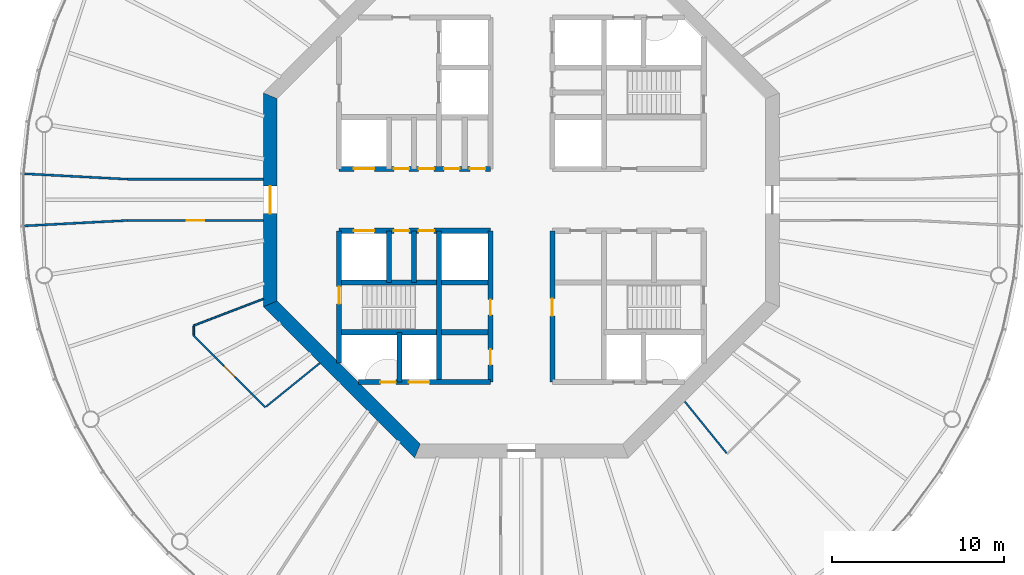
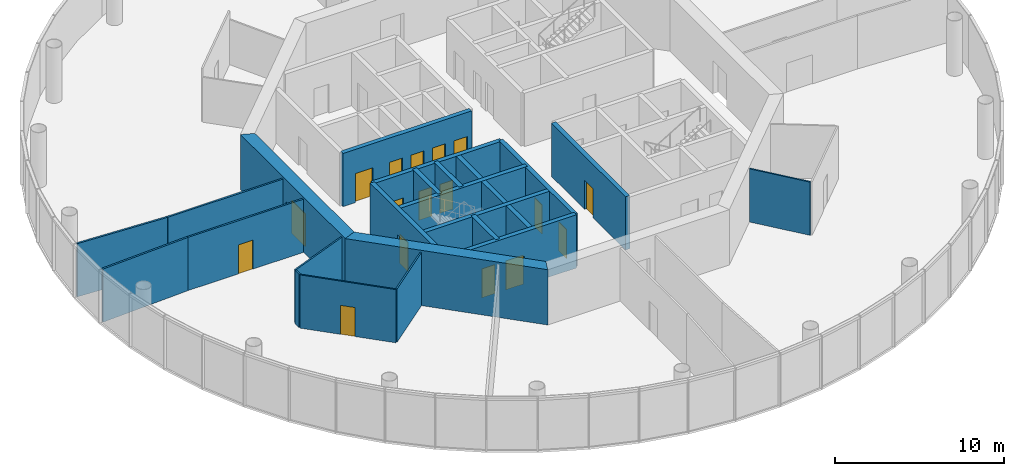
# One storey, part 3 of 13: 23 walls, 17 doors, 17 openings.
"""IFC4 building model written with IfcOpenShell, lengths in metres."""

from ifc_helpers import new_model, si_unit, direction, frame, frame_2d, origin, place, context, subcontext, project, spatial, polyline, rectangle, outline, extrude, material, layer, layer_set, type_object, element, fill, save


model = new_model("IFC4")

# Units and contexts
model_context = context("Model", 3, precision=1e-05, world=origin(), true_north=direction((0.0, 1.0)))
body_context = subcontext(model_context, "Body", "Model", "MODEL_VIEW")
ifc_project = project(units=[si_unit("LENGTHUNIT", "METRE"), si_unit("AREAUNIT", "SQUARE_METRE"), si_unit("VOLUMEUNIT", "CUBIC_METRE"), si_unit("PLANEANGLEUNIT", "RADIAN"), si_unit("MASSUNIT", "GRAM", prefix="KILO")], contexts=[model_context])

# Site, building, storey
site_placement = place(None, origin())
site = spatial("IfcSite", under=ifc_project, at=site_placement, CompositionType="ELEMENT")
building_placement = place(site_placement, origin())
building = spatial("IfcBuilding", under=site, at=building_placement, Name="Entoto Ring Tower", CompositionType="ELEMENT")
storey_placement = place(building_placement, frame((0.0, 0.0, 302.0)))
storey = spatial("IfcBuildingStorey", under=building, at=storey_placement, Name="L69", CompositionType="ELEMENT", Elevation=302.0)

# Wall, opening, door
ifc_material_1 = material(Name="Concrete C40/50", Category="concrete")
ifc_layer_1 = layer(ifc_material_1, 0.300048828125)
ifc_layer_set_1 = layer_set([ifc_layer_1], Name="Concrete C40/50")
wall_type_1 = type_object("IfcWallType", Name="Core enclosure wall 300 mm reinforced concrete", PredefinedType="SOLIDWALL", material=ifc_layer_set_1)
wall_1_placement = place(storey_placement, frame((91.800048828125, 69.39990234375, 0.0), z_axis=(0.0, 0.0, 1.0), x_axis=(0.0, 1.0, 0.0)))
wall_1 = element("IfcWall", 1, at=wall_1_placement, inside=storey, type_object=wall_type_1, Name="wall-L69-008", PredefinedType="SOLIDWALL", context=body_context, shape_type="SweptSolid", body=[
    extrude(rectangle(XDim=8.800048828125, YDim=0.300048828125, at=frame_2d((4.39990234375, 0.0))), origin(), (0.0, 0.0, 1.0), 3.85009765625),
])
opening_1_placement = place(wall_1_placement, frame((3.85009765625, 0.0, 0.0)))
opening_1 = element("IfcOpeningElement", 2, at=opening_1_placement, cuts=wall_1, Name="Opening K-64", PredefinedType="OPENING", context=body_context, shape_type="SweptSolid", body=[
    extrude(rectangle(XDim=1.0, YDim=2.10009765625, at=frame_2d((0.5, 1.050048828125))), frame((0.0, 0.16015625, 0.0), z_axis=(0.0, -1.0, 0.0), x_axis=(1.0, 0.0, 0.0)), (0.0, 0.0, 1.0), 0.320068359375),
])
ifc_material_2 = material(Name="Steel door leaf, fire rated", Category="steel")
ifc_layer_2 = layer(ifc_material_2, 0.050048828125)
ifc_layer_set_2 = layer_set([ifc_layer_2], Name="Steel door leaf, fire rated")
door_type_1 = type_object("IfcDoorType", Name="Accessible door 1000 x 2100 single leaf", OperationType="NOTDEFINED", PredefinedType="DOOR", material=ifc_layer_set_2)
door_1_placement = place(opening_1_placement, frame((1.0, 0.0, 0.0), z_axis=(0.0, 0.0, 1.0), x_axis=(-1.0, 0.0, 0.0)))
door_1 = element("IfcDoor", 3, at=door_1_placement, inside=storey, type_object=door_type_1, Name="Door K-64", OperationType="SINGLE_SWING_LEFT", OverallHeight=2.10009765625, OverallWidth=1.0, PredefinedType="DOOR", context=body_context, shape_type="SweptSolid", body=[
    extrude(rectangle(XDim=1.0, YDim=2.10009765625, at=frame_2d((0.5, 1.050048828125))), frame((0.0, 0.02490234375, 0.0), z_axis=(0.0, -1.0, 0.0), x_axis=(1.0, 0.0, 0.0)), (0.0, 0.0, 1.0), 0.050048828125),
])
fill(opening_1, door_1)

# Wall, openings, doors
wall_2_placement = place(storey_placement, frame((88.199951171875, 69.39990234375, 0.0), z_axis=(0.0, 0.0, 1.0), x_axis=(0.0, 1.0, 0.0)))
wall_2 = element("IfcWall", 4, at=wall_2_placement, inside=storey, type_object=wall_type_1, Name="wall-L69-010", PredefinedType="SOLIDWALL", context=body_context, shape_type="SweptSolid", body=[
    extrude(rectangle(XDim=8.800048828125, YDim=0.300048828125, at=frame_2d((4.39990234375, 0.0))), origin(), (0.0, 0.0, 1.0), 3.85009765625),
])
opening_2_placement = place(wall_2_placement, frame((3.89990234375, 0.0, 0.0)))
opening_2 = element("IfcOpeningElement", 5, at=opening_2_placement, cuts=wall_2, Name="Opening K-21", PredefinedType="OPENING", context=body_context, shape_type="SweptSolid", body=[
    extrude(rectangle(XDim=0.89990234375, YDim=2.10009765625, at=frame_2d((0.449951171875, 1.050048828125))), frame((0.0, 0.16015625, 0.0), z_axis=(0.0, -1.0, 0.0), x_axis=(1.0, 0.0, 0.0)), (0.0, 0.0, 1.0), 0.320068359375),
])
opening_3_placement = place(wall_2_placement, frame((1.0, 0.0, 0.0)))
opening_3 = element("IfcOpeningElement", 6, at=opening_3_placement, cuts=wall_2, Name="Opening K-69", PredefinedType="OPENING", context=body_context, shape_type="SweptSolid", body=[
    extrude(rectangle(XDim=0.89990234375, YDim=2.10009765625, at=frame_2d((0.449951171875, 1.050048828125))), frame((0.0, 0.16015625, 0.0), z_axis=(0.0, -1.0, 0.0), x_axis=(1.0, 0.0, 0.0)), (0.0, 0.0, 1.0), 0.320068359375),
])
ifc_material_3 = material(Name="Steel door leaf, fire rated", Category="steel")
ifc_layer_3 = layer(ifc_material_3, 0.050048828125)
ifc_layer_set_3 = layer_set([ifc_layer_3], Name="Steel door leaf, fire rated")
door_type_2 = type_object("IfcDoorType", Name="Core door 900 x 2100 single leaf", OperationType="NOTDEFINED", PredefinedType="DOOR", material=ifc_layer_set_3)
door_2_placement = place(opening_2_placement, origin())
door_2 = element("IfcDoor", 7, at=door_2_placement, inside=storey, type_object=door_type_2, Name="Door K-21", OperationType="SINGLE_SWING_RIGHT", OverallHeight=2.10009765625, OverallWidth=0.89990234375, PredefinedType="DOOR", context=body_context, shape_type="SweptSolid", body=[
    extrude(rectangle(XDim=0.89990234375, YDim=2.10009765625, at=frame_2d((0.449951171875, 1.050048828125))), frame((0.0, 0.02490234375, 0.0), z_axis=(0.0, -1.0, 0.0), x_axis=(1.0, 0.0, 0.0)), (0.0, 0.0, 1.0), 0.050048828125),
])
fill(opening_2, door_2)
door_3_placement = place(opening_3_placement, origin())
door_3 = element("IfcDoor", 8, at=door_3_placement, inside=storey, type_object=door_type_2, Name="Door K-69", OperationType="SINGLE_SWING_RIGHT", OverallHeight=2.10009765625, OverallWidth=0.89990234375, PredefinedType="DOOR", context=body_context, shape_type="SweptSolid", body=[
    extrude(rectangle(XDim=0.89990234375, YDim=2.10009765625, at=frame_2d((0.449951171875, 1.050048828125))), frame((0.0, 0.02490234375, 0.0), z_axis=(0.0, -1.0, 0.0), x_axis=(1.0, 0.0, 0.0)), (0.0, 0.0, 1.0), 0.050048828125),
])
fill(opening_3, door_3)

# Walls
wall_3_placement = place(storey_placement, frame((85.199951171875, 69.39990234375, 0.0), z_axis=(0.0, 0.0, 1.0), x_axis=(0.0, 1.0, 0.0)))
element("IfcWall", 9, at=wall_3_placement, inside=storey, type_object=wall_type_1, Name="wall-L69-013", PredefinedType="SOLIDWALL", context=body_context, shape_type="SweptSolid", body=[
    extrude(rectangle(XDim=8.800048828125, YDim=0.300048828125, at=frame_2d((4.39990234375, 0.0))), origin(), (0.0, 0.0, 1.0), 3.85009765625),
])
wall_4_placement = place(storey_placement, frame((83.75, 75.199951171875, 0.0), z_axis=(0.0, 0.0, 1.0), x_axis=(0.0, 1.0, 0.0)))
element("IfcWall", 10, at=wall_4_placement, inside=storey, type_object=wall_type_1, Name="wall-L69-015", PredefinedType="SOLIDWALL", context=body_context, shape_type="SweptSolid", body=[
    extrude(rectangle(XDim=3.0, YDim=0.300048828125, at=frame_2d((1.5, 0.0))), origin(), (0.0, 0.0, 1.0), 3.85009765625),
])
wall_5_placement = place(storey_placement, frame((82.89990234375, 69.39990234375, 0.0), z_axis=(0.0, 0.0, 1.0), x_axis=(0.0, 1.0, 0.0)))
element("IfcWall", 11, at=wall_5_placement, inside=storey, type_object=wall_type_1, Name="wall-L69-017", PredefinedType="SOLIDWALL", context=body_context, shape_type="SweptSolid", body=[
    extrude(rectangle(XDim=2.900146484375, YDim=0.300048828125, at=frame_2d((1.4501953125, 0.0))), origin(), (0.0, 0.0, 1.0), 3.85009765625),
])
wall_6_placement = place(storey_placement, frame((82.300048828125, 75.199951171875, 0.0), z_axis=(0.0, 0.0, 1.0), x_axis=(0.0, 1.0, 0.0)))
element("IfcWall", 12, at=wall_6_placement, inside=storey, type_object=wall_type_1, Name="wall-L69-018", PredefinedType="SOLIDWALL", context=body_context, shape_type="SweptSolid", body=[
    extrude(rectangle(XDim=3.0, YDim=0.300048828125, at=frame_2d((1.5, 0.0))), origin(), (0.0, 0.0, 1.0), 3.85009765625),
])

# Wall, opening, door
wall_7_placement = place(storey_placement, frame((79.39990234375, 70.518310546875, 0.0), z_axis=(0.0, 0.0, 1.0), x_axis=(0.0, 1.0, 0.0)))
wall_7 = element("IfcWall", 13, at=wall_7_placement, inside=storey, type_object=wall_type_1, Name="wall-L69-020", PredefinedType="SOLIDWALL", context=body_context, shape_type="SweptSolid", body=[
    extrude(rectangle(XDim=7.681640625, YDim=0.300048828125, at=frame_2d((3.8408203125, 0.0))), origin(), (0.0, 0.0, 1.0), 3.85009765625),
])
opening_4_placement = place(wall_7_placement, frame((3.431884765625, 0.0, 0.0)))
opening_4 = element("IfcOpeningElement", 14, at=opening_4_placement, cuts=wall_7, Name="Opening K-27", PredefinedType="OPENING", context=body_context, shape_type="SweptSolid", body=[
    extrude(rectangle(XDim=1.0, YDim=2.10009765625, at=frame_2d((0.5, 1.050048828125))), frame((0.0, 0.16015625, 0.0), z_axis=(0.0, -1.0, 0.0), x_axis=(1.0, 0.0, 0.0)), (0.0, 0.0, 1.0), 0.320068359375),
])
ifc_material_4 = material(Name="Steel door leaf, fire rated", Category="steel")
ifc_layer_4 = layer(ifc_material_4, 0.050048828125)
ifc_layer_set_4 = layer_set([ifc_layer_4], Name="Steel door leaf, fire rated")
door_type_3 = type_object("IfcDoorType", Name="Fire door FD60 1000 x 2100 single leaf", OperationType="NOTDEFINED", PredefinedType="DOOR", material=ifc_layer_set_4)
door_4_placement = place(opening_4_placement, frame((1.0, 0.0, 0.0), z_axis=(0.0, 0.0, 1.0), x_axis=(-1.0, 0.0, 0.0)))
door_4 = element("IfcDoor", 15, at=door_4_placement, inside=storey, type_object=door_type_3, Name="Door K-27", OperationType="SINGLE_SWING_LEFT", OverallHeight=2.10009765625, OverallWidth=1.0, PredefinedType="DOOR", context=body_context, shape_type="SweptSolid", body=[
    extrude(rectangle(XDim=1.0, YDim=2.10009765625, at=frame_2d((0.5, 1.050048828125))), frame((0.0, 0.02490234375, 0.0), z_axis=(0.0, -1.0, 0.0), x_axis=(1.0, 0.0, 0.0)), (0.0, 0.0, 1.0), 0.050048828125),
])
fill(opening_4, door_4)

# Wall, openings, doors
wall_8_placement = place(storey_placement, frame((80.518310546875, 69.39990234375, 0.0), z_axis=(0.0, 0.0, 1.0), x_axis=(1.0, 0.0, 0.0)))
wall_8 = element("IfcWall", 16, at=wall_8_placement, inside=storey, type_object=wall_type_1, Name="wall-L69-022", PredefinedType="SOLIDWALL", context=body_context, shape_type="SweptSolid", body=[
    extrude(rectangle(XDim=7.681640625, YDim=0.300048828125, at=frame_2d((3.8408203125, 0.0))), origin(), (0.0, 0.0, 1.0), 3.85009765625),
])
opening_5_placement = place(wall_8_placement, frame((2.931884765625, 0.0, 0.0)))
opening_5 = element("IfcOpeningElement", 17, at=opening_5_placement, cuts=wall_8, Name="Opening LD", PredefinedType="OPENING", context=body_context, shape_type="SweptSolid", body=[
    extrude(rectangle(XDim=1.199951171875, YDim=2.10009765625, at=frame_2d((0.60009765625, 1.050048828125))), frame((0.0, 0.16015625, 0.0), z_axis=(0.0, -1.0, 0.0), x_axis=(1.0, 0.0, 0.0)), (0.0, 0.0, 1.0), 0.320068359375),
])
opening_6_placement = place(wall_8_placement, frame((1.28173828125, 0.0, 0.0)))
opening_6 = element("IfcOpeningElement", 18, at=opening_6_placement, cuts=wall_8, Name="Opening K-84", PredefinedType="OPENING", context=body_context, shape_type="SweptSolid", body=[
    extrude(rectangle(XDim=0.89990234375, YDim=2.10009765625, at=frame_2d((0.449951171875, 1.050048828125))), frame((0.0, 0.16015625, 0.0), z_axis=(0.0, -1.0, 0.0), x_axis=(1.0, 0.0, 0.0)), (0.0, 0.0, 1.0), 0.320068359375),
])
ifc_material_5 = material(Name="Steel and glass door leaf", Category="steel")
ifc_layer_5 = layer(ifc_material_5, 0.050048828125)
ifc_layer_set_5 = layer_set([ifc_layer_5], Name="Steel and glass door leaf")
door_type_4 = type_object("IfcDoorType", Name="Landing door 1200 x 2100 sliding", OperationType="DOUBLE_DOOR_SLIDING", PredefinedType="DOOR", material=ifc_layer_set_5)
door_5_placement = place(opening_5_placement, origin())
door_5 = element("IfcDoor", 19, at=door_5_placement, inside=storey, type_object=door_type_4, Name="Landing door LB3-HR", OperationType="SLIDING_TO_RIGHT", OverallHeight=2.10009765625, OverallWidth=1.199951171875, PredefinedType="DOOR", context=body_context, shape_type="SweptSolid", body=[
    extrude(rectangle(XDim=1.199951171875, YDim=2.10009765625, at=frame_2d((0.60009765625, 1.050048828125))), frame((0.0, 0.02490234375, 0.0), z_axis=(0.0, -1.0, 0.0), x_axis=(1.0, 0.0, 0.0)), (0.0, 0.0, 1.0), 0.050048828125),
])
fill(opening_5, door_5)
ifc_material_6 = material(Name="Steel door leaf, fire rated", Category="steel")
ifc_layer_6 = layer(ifc_material_6, 0.050048828125)
ifc_layer_set_6 = layer_set([ifc_layer_6], Name="Steel door leaf, fire rated")
door_type_5 = type_object("IfcDoorType", Name="Riser door FD60 900 x 2100 single leaf", OperationType="NOTDEFINED", PredefinedType="DOOR", material=ifc_layer_set_6)
door_6_placement = place(opening_6_placement, origin())
door_6 = element("IfcDoor", 20, at=door_6_placement, inside=storey, type_object=door_type_5, Name="Door K-84", OperationType="SINGLE_SWING_RIGHT", OverallHeight=2.10009765625, OverallWidth=0.89990234375, PredefinedType="DOOR", context=body_context, shape_type="SweptSolid", body=[
    extrude(rectangle(XDim=0.89990234375, YDim=2.10009765625, at=frame_2d((0.449951171875, 1.050048828125))), frame((0.0, 0.02490234375, 0.0), z_axis=(0.0, -1.0, 0.0), x_axis=(1.0, 0.0, 0.0)), (0.0, 0.0, 1.0), 0.050048828125),
])
fill(opening_6, door_6)

# Walls
for number, where, z_axis, x_axis, name in (
    (21, (79.39990234375, 72.300048828125, 0.0), (0.0, 0.0, 1.0), (1.0, 0.0, 0.0), "wall-L69-024"),
    (22, (79.39990234375, 75.199951171875, 0.0), (0.0, 0.0, 1.0), (1.0, 0.0, 0.0), "wall-L69-026"),
):
    element("IfcWall", number, at=place(storey_placement, frame(where, z_axis=z_axis, x_axis=x_axis)), inside=storey, type_object=wall_type_1, Name=name, PredefinedType="SOLIDWALL", context=body_context, shape_type="SweptSolid", body=[
        extrude(rectangle(XDim=8.800048828125, YDim=0.300048828125, at=frame_2d((4.39990234375, 0.0))), origin(), (0.0, 0.0, 1.0), 3.85009765625),
    ])

# Wall, openings, doors
wall_9_placement = place(storey_placement, frame((79.39990234375, 78.199951171875, 0.0), z_axis=(0.0, 0.0, 1.0), x_axis=(1.0, 0.0, 0.0)))
wall_9 = element("IfcWall", 23, at=wall_9_placement, inside=storey, type_object=wall_type_1, Name="wall-L69-028", PredefinedType="SOLIDWALL", context=body_context, shape_type="SweptSolid", body=[
    extrude(rectangle(XDim=8.800048828125, YDim=0.300048828125, at=frame_2d((4.39990234375, 0.0))), origin(), (0.0, 0.0, 1.0), 3.85009765625),
])
opening_7_placement = place(wall_9_placement, frame((0.85009765625, 0.0, 0.0)))
opening_7 = element("IfcOpeningElement", 24, at=opening_7_placement, cuts=wall_9, Name="Opening LD", PredefinedType="OPENING", context=body_context, shape_type="SweptSolid", body=[
    extrude(rectangle(XDim=1.199951171875, YDim=2.10009765625, at=frame_2d((0.60009765625, 1.050048828125))), frame((0.0, 0.16015625, 0.0), z_axis=(0.0, -1.0, 0.0), x_axis=(1.0, 0.0, 0.0)), (0.0, 0.0, 1.0), 0.320068359375),
])
opening_8_placement = place(wall_9_placement, frame((3.175048828125, 0.0, 0.0)))
opening_8 = element("IfcOpeningElement", 25, at=opening_8_placement, cuts=wall_9, Name="Opening K-16", PredefinedType="OPENING", context=body_context, shape_type="SweptSolid", body=[
    extrude(rectangle(XDim=0.89990234375, YDim=2.10009765625, at=frame_2d((0.449951171875, 1.050048828125))), frame((0.0, 0.16015625, 0.0), z_axis=(0.0, -1.0, 0.0), x_axis=(1.0, 0.0, 0.0)), (0.0, 0.0, 1.0), 0.320068359375),
])
opening_9_placement = place(wall_9_placement, frame((4.625, 0.0, 0.0)))
opening_9 = element("IfcOpeningElement", 26, at=opening_9_placement, cuts=wall_9, Name="Opening K-57", PredefinedType="OPENING", context=body_context, shape_type="SweptSolid", body=[
    extrude(rectangle(XDim=0.89990234375, YDim=2.10009765625, at=frame_2d((0.449951171875, 1.050048828125))), frame((0.0, 0.16015625, 0.0), z_axis=(0.0, -1.0, 0.0), x_axis=(1.0, 0.0, 0.0)), (0.0, 0.0, 1.0), 0.320068359375),
])
door_7_placement = place(opening_8_placement, frame((0.89990234375, 0.0, 0.0), z_axis=(0.0, 0.0, 1.0), x_axis=(-1.0, 0.0, 0.0)))
door_7 = element("IfcDoor", 27, at=door_7_placement, inside=storey, type_object=door_type_2, Name="Door K-16", OperationType="SINGLE_SWING_LEFT", OverallHeight=2.10009765625, OverallWidth=0.89990234375, PredefinedType="DOOR", context=body_context, shape_type="SweptSolid", body=[
    extrude(rectangle(XDim=0.89990234375, YDim=2.10009765625, at=frame_2d((0.449951171875, 1.050048828125))), frame((0.0, 0.02490234375, 0.0), z_axis=(0.0, -1.0, 0.0), x_axis=(1.0, 0.0, 0.0)), (0.0, 0.0, 1.0), 0.050048828125),
])
fill(opening_8, door_7)
door_8_placement = place(opening_9_placement, frame((0.89990234375, 0.0, 0.0), z_axis=(0.0, 0.0, 1.0), x_axis=(-1.0, 0.0, 0.0)))
door_8 = element("IfcDoor", 28, at=door_8_placement, inside=storey, type_object=door_type_2, Name="Door K-57", OperationType="SINGLE_SWING_LEFT", OverallHeight=2.10009765625, OverallWidth=0.89990234375, PredefinedType="DOOR", context=body_context, shape_type="SweptSolid", body=[
    extrude(rectangle(XDim=0.89990234375, YDim=2.10009765625, at=frame_2d((0.449951171875, 1.050048828125))), frame((0.0, 0.02490234375, 0.0), z_axis=(0.0, -1.0, 0.0), x_axis=(1.0, 0.0, 0.0)), (0.0, 0.0, 1.0), 0.050048828125),
])
fill(opening_9, door_8)
door_9_placement = place(opening_7_placement, origin())
door_9 = element("IfcDoor", 29, at=door_9_placement, inside=storey, type_object=door_type_4, Name="Landing door SH2", OperationType="SLIDING_TO_RIGHT", OverallHeight=2.10009765625, OverallWidth=1.199951171875, PredefinedType="DOOR", context=body_context, shape_type="SweptSolid", body=[
    extrude(rectangle(XDim=1.199951171875, YDim=2.10009765625, at=frame_2d((0.60009765625, 1.050048828125))), frame((0.0, 0.02490234375, 0.0), z_axis=(0.0, -1.0, 0.0), x_axis=(1.0, 0.0, 0.0)), (0.0, 0.0, 1.0), 0.050048828125),
])
fill(opening_7, door_9)

wall_10_placement = place(storey_placement, frame((79.39990234375, 81.800048828125, 0.0), z_axis=(0.0, 0.0, 1.0), x_axis=(1.0, 0.0, 0.0)))
wall_10 = element("IfcWall", 30, at=wall_10_placement, inside=storey, type_object=wall_type_1, Name="wall-L69-030", PredefinedType="SOLIDWALL", context=body_context, shape_type="SweptSolid", body=[
    extrude(rectangle(XDim=8.800048828125, YDim=0.300048828125, at=frame_2d((4.39990234375, 0.0))), origin(), (0.0, 0.0, 1.0), 3.85009765625),
])
opening_10_placement = place(wall_10_placement, frame((0.85009765625, 0.0, 0.0)))
opening_10 = element("IfcOpeningElement", 31, at=opening_10_placement, cuts=wall_10, Name="Opening LD", PredefinedType="OPENING", context=body_context, shape_type="SweptSolid", body=[
    extrude(rectangle(XDim=1.199951171875, YDim=2.10009765625, at=frame_2d((0.60009765625, 1.050048828125))), frame((0.0, 0.16015625, 0.0), z_axis=(0.0, -1.0, 0.0), x_axis=(1.0, 0.0, 0.0)), (0.0, 0.0, 1.0), 0.320068359375),
])
opening_11_placement = place(wall_10_placement, frame((3.175048828125, 0.0, 0.0)))
opening_11 = element("IfcOpeningElement", 32, at=opening_11_placement, cuts=wall_10, Name="Opening K-12", PredefinedType="OPENING", context=body_context, shape_type="SweptSolid", body=[
    extrude(rectangle(XDim=0.89990234375, YDim=2.10009765625, at=frame_2d((0.449951171875, 1.050048828125))), frame((0.0, 0.16015625, 0.0), z_axis=(0.0, -1.0, 0.0), x_axis=(1.0, 0.0, 0.0)), (0.0, 0.0, 1.0), 0.320068359375),
])
opening_12_placement = place(wall_10_placement, frame((4.625, 0.0, 0.0)))
opening_12 = element("IfcOpeningElement", 33, at=opening_12_placement, cuts=wall_10, Name="Opening K-46", PredefinedType="OPENING", context=body_context, shape_type="SweptSolid", body=[
    extrude(rectangle(XDim=0.89990234375, YDim=2.10009765625, at=frame_2d((0.449951171875, 1.050048828125))), frame((0.0, 0.16015625, 0.0), z_axis=(0.0, -1.0, 0.0), x_axis=(1.0, 0.0, 0.0)), (0.0, 0.0, 1.0), 0.320068359375),
])
opening_13_placement = place(wall_10_placement, frame((6.10009765625, 0.0, 0.0)))
opening_13 = element("IfcOpeningElement", 34, at=opening_13_placement, cuts=wall_10, Name="Opening K-71", PredefinedType="OPENING", context=body_context, shape_type="SweptSolid", body=[
    extrude(rectangle(XDim=0.89990234375, YDim=2.10009765625, at=frame_2d((0.449951171875, 1.050048828125))), frame((0.0, 0.16015625, 0.0), z_axis=(0.0, -1.0, 0.0), x_axis=(1.0, 0.0, 0.0)), (0.0, 0.0, 1.0), 0.320068359375),
])
opening_14_placement = place(wall_10_placement, frame((7.60009765625, 0.0, 0.0)))
opening_14 = element("IfcOpeningElement", 35, at=opening_14_placement, cuts=wall_10, Name="Opening K-24", PredefinedType="OPENING", context=body_context, shape_type="SweptSolid", body=[
    extrude(rectangle(XDim=0.89990234375, YDim=2.10009765625, at=frame_2d((0.449951171875, 1.050048828125))), frame((0.0, 0.16015625, 0.0), z_axis=(0.0, -1.0, 0.0), x_axis=(1.0, 0.0, 0.0)), (0.0, 0.0, 1.0), 0.320068359375),
])
door_10_placement = place(opening_11_placement, origin())
door_10 = element("IfcDoor", 36, at=door_10_placement, inside=storey, type_object=door_type_2, Name="Door K-12", OperationType="SINGLE_SWING_RIGHT", OverallHeight=2.10009765625, OverallWidth=0.89990234375, PredefinedType="DOOR", context=body_context, shape_type="SweptSolid", body=[
    extrude(rectangle(XDim=0.89990234375, YDim=2.10009765625, at=frame_2d((0.449951171875, 1.050048828125))), frame((0.0, 0.02490234375, 0.0), z_axis=(0.0, -1.0, 0.0), x_axis=(1.0, 0.0, 0.0)), (0.0, 0.0, 1.0), 0.050048828125),
])
fill(opening_11, door_10)
door_11_placement = place(opening_12_placement, origin())
door_11 = element("IfcDoor", 37, at=door_11_placement, inside=storey, type_object=door_type_2, Name="Door K-46", OperationType="SINGLE_SWING_RIGHT", OverallHeight=2.10009765625, OverallWidth=0.89990234375, PredefinedType="DOOR", context=body_context, shape_type="SweptSolid", body=[
    extrude(rectangle(XDim=0.89990234375, YDim=2.10009765625, at=frame_2d((0.449951171875, 1.050048828125))), frame((0.0, 0.02490234375, 0.0), z_axis=(0.0, -1.0, 0.0), x_axis=(1.0, 0.0, 0.0)), (0.0, 0.0, 1.0), 0.050048828125),
])
fill(opening_12, door_11)
door_12_placement = place(opening_13_placement, origin())
door_12 = element("IfcDoor", 38, at=door_12_placement, inside=storey, type_object=door_type_2, Name="Door K-71", OperationType="SINGLE_SWING_LEFT", OverallHeight=2.10009765625, OverallWidth=0.89990234375, PredefinedType="DOOR", context=body_context, shape_type="SweptSolid", body=[
    extrude(rectangle(XDim=0.89990234375, YDim=2.10009765625, at=frame_2d((0.449951171875, 1.050048828125))), frame((0.0, 0.02490234375, 0.0), z_axis=(0.0, -1.0, 0.0), x_axis=(1.0, 0.0, 0.0)), (0.0, 0.0, 1.0), 0.050048828125),
])
fill(opening_13, door_12)
door_13_placement = place(opening_14_placement, origin())
door_13 = element("IfcDoor", 39, at=door_13_placement, inside=storey, type_object=door_type_2, Name="Door K-24", OperationType="SINGLE_SWING_LEFT", OverallHeight=2.10009765625, OverallWidth=0.89990234375, PredefinedType="DOOR", context=body_context, shape_type="SweptSolid", body=[
    extrude(rectangle(XDim=0.89990234375, YDim=2.10009765625, at=frame_2d((0.449951171875, 1.050048828125))), frame((0.0, 0.02490234375, 0.0), z_axis=(0.0, -1.0, 0.0), x_axis=(1.0, 0.0, 0.0)), (0.0, 0.0, 1.0), 0.050048828125),
])
fill(opening_14, door_13)
door_14_placement = place(opening_10_placement, origin())
door_14 = element("IfcDoor", 40, at=door_14_placement, inside=storey, type_object=door_type_4, Name="Landing door SH1", OperationType="SLIDING_TO_RIGHT", OverallHeight=2.10009765625, OverallWidth=1.199951171875, PredefinedType="DOOR", context=body_context, shape_type="SweptSolid", body=[
    extrude(rectangle(XDim=1.199951171875, YDim=2.10009765625, at=frame_2d((0.60009765625, 1.050048828125))), frame((0.0, 0.02490234375, 0.0), z_axis=(0.0, -1.0, 0.0), x_axis=(1.0, 0.0, 0.0)), (0.0, 0.0, 1.0), 0.050048828125),
])
fill(opening_10, door_14)

# Wall, opening, door
ifc_material_7 = material(Name="Concrete C40/50", Category="concrete")
ifc_layer_7 = layer(ifc_material_7, 0.800048828125)
ifc_layer_set_7 = layer_set([ifc_layer_7], Name="Concrete C40/50")
wall_type_2 = type_object("IfcWallType", Name="Core shear wall 800 mm reinforced concrete C40/50", PredefinedType="SHEAR", material=ifc_layer_set_7)
wall_11_placement = place(storey_placement, frame((75.39990234375, 86.047607421875, 0.0), z_axis=(0.0, 0.0, 1.0), x_axis=(0.0, -1.0, 0.0)))
wall_11 = element("IfcWall", 41, at=wall_11_placement, inside=storey, type_object=wall_type_2, Name="wall-L69-core-4", PredefinedType="SHEAR", context=body_context, shape_type="SweptSolid", body=[
    extrude(outline(polyline([(-0.165771484375, -0.39990234375), (12.260986328125, -0.39990234375), (11.929443359375, 0.39990234375), (0.165771484375, 0.39990234375), (-0.165771484375, -0.39990234375)])), origin(), (0.0, 0.0, 1.0), 4.0),
])
opening_15_placement = place(wall_11_placement, frame((5.24755859375, 0.0, 0.0)))
opening_15 = element("IfcOpeningElement", 42, at=opening_15_placement, cuts=wall_11, Name="Opening K-03", PredefinedType="OPENING", context=body_context, shape_type="SweptSolid", body=[
    extrude(rectangle(XDim=1.60009765625, YDim=2.39990234375, at=frame_2d((0.800048828125, 1.199951171875))), frame((0.0, 0.41015625, 0.0), z_axis=(0.0, -1.0, 0.0), x_axis=(1.0, 0.0, 0.0)), (0.0, 0.0, 1.0), 0.820068359375),
])
ifc_material_8 = material(Name="Steel door leaf, fire rated", Category="steel")
ifc_layer_8 = layer(ifc_material_8, 0.050048828125)
ifc_layer_set_8 = layer_set([ifc_layer_8], Name="Steel door leaf, fire rated")
door_type_6 = type_object("IfcDoorType", Name="Entrance door FD60 1600 x 2400 double leaf", OperationType="DOUBLE_DOOR_SINGLE_SWING", PredefinedType="DOOR", material=ifc_layer_set_8)
door_15_placement = place(opening_15_placement, origin())
door_15 = element("IfcDoor", 43, at=door_15_placement, inside=storey, type_object=door_type_6, Name="Entrance door K-03", OperationType="DOUBLE_DOOR_SINGLE_SWING", OverallHeight=2.39990234375, OverallWidth=1.60009765625, PredefinedType="DOOR", context=body_context, shape_type="SweptSolid", body=[
    extrude(rectangle(XDim=1.60009765625, YDim=2.39990234375, at=frame_2d((0.800048828125, 1.199951171875))), frame((0.0, 0.02490234375, 0.0), z_axis=(0.0, -1.0, 0.0), x_axis=(1.0, 0.0, 0.0)), (0.0, 0.0, 1.0), 0.050048828125),
])
fill(opening_15, door_15)

# Wall
wall_12_placement = place(storey_placement, frame((75.39990234375, 73.952392578125, 0.0), z_axis=(0.0, 0.0, 1.0), x_axis=(0.707106781187, -0.707106781187, 0.0)))
element("IfcWall", 44, at=wall_12_placement, inside=storey, type_object=wall_type_2, Name="wall-L69-core-5", PredefinedType="SHEAR", context=body_context, shape_type="SweptSolid", body=[
    extrude(outline(polyline([(-0.165771484375, -0.39990234375), (12.2607421875, -0.39990234375), (11.92919921875, 0.39990234375), (0.165771484375, 0.39990234375), (-0.165771484375, -0.39990234375)])), origin(), (0.0, 0.0, 1.0), 4.0),
])

# Wall, opening, door
ifc_material_9 = material(Name="Fire-resisting plasterboard on steel studs", Category="steel")
ifc_layer_9 = layer(ifc_material_9, 0.125)
ifc_layer_set_9 = layer_set([ifc_layer_9], Name="Fire-resisting plasterboard on steel studs")
wall_type_3 = type_object("IfcWallType", Name="Corridor wall 125 mm one-hour plasterboard on steel studs", PredefinedType="PARTITIONING", material=ifc_layer_set_9)
wall_13_placement = place(storey_placement, frame((67.1025390625, 78.800048828125, 0.0), z_axis=(0.0, 0.0, 1.0), x_axis=(1.0, 0.0, 0.0)))
wall_13 = element("IfcWall", 45, at=wall_13_placement, inside=storey, type_object=wall_type_3, Name="partition-L69-001", PredefinedType="PARTITIONING", context=body_context, shape_type="SweptSolid", body=[
    extrude(rectangle(XDim=7.8974609375, YDim=0.125, at=frame_2d((3.94873046875, 0.0))), origin(), (0.0, 0.0, 1.0), 3.85009765625),
])
opening_16_placement = place(wall_13_placement, frame((3.44873046875, 0.0, 0.0)))
opening_16 = element("IfcOpeningElement", 46, at=opening_16_placement, cuts=wall_13, Name="Opening A30-D06", PredefinedType="OPENING", context=body_context, shape_type="SweptSolid", body=[
    extrude(rectangle(XDim=1.0, YDim=2.10009765625, at=frame_2d((0.5, 1.050048828125))), frame((0.0, 0.072509765625, 0.0), z_axis=(0.0, -1.0, 0.0), x_axis=(1.0, 0.0, 0.0)), (0.0, 0.0, 1.0), 0.14501953125),
])
ifc_material_10 = material(Name="Fire-resisting timber door set", Category="wood")
door_type_7 = type_object("IfcDoorType", Name="Door 1000 x 2100 single leaf FD30S fire door", OperationType="NOTDEFINED", PredefinedType="DOOR", material=ifc_material_10)
door_16_placement = place(opening_16_placement, frame((1.0, 0.0, 0.0), z_axis=(0.0, 0.0, 1.0), x_axis=(-1.0, 0.0, 0.0)))
door_16 = element("IfcDoor", 47, at=door_16_placement, inside=storey, type_object=door_type_7, Name="Door A30-D06", OperationType="SINGLE_SWING_LEFT", OverallHeight=2.10009765625, OverallWidth=1.0, PredefinedType="DOOR", context=body_context, shape_type="SweptSolid", body=[
    extrude(rectangle(XDim=1.0, YDim=2.10009765625, at=frame_2d((0.5, 1.050048828125))), frame((0.0, 0.02490234375, 0.0), z_axis=(0.0, -1.0, 0.0), x_axis=(1.0, 0.0, 0.0)), (0.0, 0.0, 1.0), 0.050048828125),
])
fill(opening_16, door_16)

# Walls
wall_14_placement = place(storey_placement, frame((67.1025390625, 81.199951171875, 0.0), z_axis=(0.0, 0.0, 1.0), x_axis=(1.0, 0.0, 0.0)))
element("IfcWall", 48, at=wall_14_placement, inside=storey, type_object=wall_type_3, Name="partition-L69-002", PredefinedType="PARTITIONING", context=body_context, shape_type="SweptSolid", body=[
    extrude(rectangle(XDim=7.8974609375, YDim=0.125, at=frame_2d((3.94873046875, 0.0))), origin(), (0.0, 0.0, 1.0), 3.85009765625),
])
for number, where, z_axis, x_axis, name in (
    (49, (61.099609375, 78.4853515625, 0.0), (0.0, 0.0, 1.0), (0.998629367342, 0.052339150565, 0.0), "partition-L69-009"),
    (50, (67.099365234375, 81.2001953125, 0.0), (0.0, 0.0, 1.0), (-0.998629367342, 0.052339150565, 0.0), "partition-L69-010"),
):
    element("IfcWall", number, at=place(storey_placement, frame(where, z_axis=z_axis, x_axis=x_axis)), inside=storey, type_object=wall_type_3, Name=name, PredefinedType="PARTITIONING", context=body_context, shape_type="SweptSolid", body=[
        extrude(rectangle(XDim=6.008056640625, YDim=0.125, at=frame_2d((3.00390625, 0.0))), origin(), (0.0, 0.0, 1.0), 3.85009765625),
    ])

# Wall, opening, door
ifc_material_11 = material(Name="Plasterboard on steel studs", Category="steel")
ifc_layer_10 = layer(ifc_material_11, 0.10009765625)
ifc_layer_set_10 = layer_set([ifc_layer_10], Name="Plasterboard on steel studs")
wall_type_4 = type_object("IfcWallType", Name="Partition 100 mm plasterboard on steel studs", PredefinedType="PARTITIONING", material=ifc_layer_set_10)
wall_15_placement = place(storey_placement, frame((75.10595703125, 67.939208984375, 0.0), z_axis=(0.0, 0.0, 1.0), x_axis=(-0.707127500746, 0.70708606102, 0.0)))
wall_15 = element("IfcWall", 51, at=wall_15_placement, inside=storey, type_object=wall_type_4, Name="partition-L69-021", PredefinedType="PARTITIONING", context=body_context, shape_type="SweptSolid", body=[
    extrude(rectangle(XDim=5.891357421875, YDim=0.10009765625, at=frame_2d((2.94580078125, 0.0))), origin(), (0.0, 0.0, 1.0), 3.85009765625),
])
opening_17_placement = place(wall_15_placement, frame((2.495849609375, 0.0, 0.0)))
opening_17 = element("IfcOpeningElement", 52, at=opening_17_placement, cuts=wall_15, Name="Opening A30-D07", PredefinedType="OPENING", context=body_context, shape_type="SweptSolid", body=[
    extrude(rectangle(XDim=0.89990234375, YDim=2.10009765625, at=frame_2d((0.449951171875, 1.050048828125))), frame((0.0, 0.06005859375, 0.0), z_axis=(0.0, -1.0, 0.0), x_axis=(1.0, 0.0, 0.0)), (0.0, 0.0, 1.0), 0.1201171875),
])
ifc_material_12 = material(Name="Veneered timber door leaf in timber frame", Category="wood")
door_type_8 = type_object("IfcDoorType", Name="Door 900 x 2100 single leaf timber veneer", OperationType="NOTDEFINED", PredefinedType="DOOR", material=ifc_material_12)
door_17_placement = place(opening_17_placement, frame((0.89990234375, 0.0, 0.0), z_axis=(0.0, 0.0, 1.0), x_axis=(-1.0, 0.0, 0.0)))
door_17 = element("IfcDoor", 53, at=door_17_placement, inside=storey, type_object=door_type_8, Name="Door A30-D07", OperationType="SINGLE_SWING_RIGHT", OverallHeight=2.10009765625, OverallWidth=0.89990234375, PredefinedType="DOOR", context=body_context, shape_type="SweptSolid", body=[
    extrude(rectangle(XDim=0.89990234375, YDim=2.10009765625, at=frame_2d((0.449951171875, 1.050048828125))), frame((0.0, 0.02490234375, 0.0), z_axis=(0.0, -1.0, 0.0), x_axis=(1.0, 0.0, 0.0)), (0.0, 0.0, 1.0), 0.050048828125),
])
fill(opening_17, door_17)

# Walls
wall_16_placement = place(storey_placement, frame((70.93994140625, 72.68359375, 0.0), z_axis=(0.0, 0.0, 1.0), x_axis=(0.933592801573, 0.358335709708, 0.0)))
element("IfcWall", 54, at=wall_16_placement, inside=storey, type_object=wall_type_4, Name="partition-L69-022", PredefinedType="PARTITIONING", context=body_context, shape_type="SweptSolid", body=[
    extrude(rectangle(XDim=4.348876953125, YDim=0.10009765625, at=frame_2d((2.17431640625, 0.0))), origin(), (0.0, 0.0, 1.0), 3.85009765625),
])
wall_17_placement = place(storey_placement, frame((75.14453125, 67.97021484375, 0.0), z_axis=(0.0, 0.0, 1.0), x_axis=(0.777122204941, 0.629349726772, 0.0)))
element("IfcWall", 55, at=wall_17_placement, inside=storey, type_object=wall_type_4, Name="partition-L69-025", PredefinedType="PARTITIONING", context=body_context, shape_type="SweptSolid", body=[
    extrude(rectangle(XDim=4.032958984375, YDim=0.10009765625, at=frame_2d((2.0166015625, 0.0))), origin(), (0.0, 0.0, 1.0), 3.85009765625),
])
wall_18_placement = place(storey_placement, frame((101.9248046875, 65.274169921875, 0.0), z_axis=(0.0, 0.0, 1.0), x_axis=(-0.629350814118, 0.777121324356, 0.0)))
element("IfcWall", 56, at=wall_18_placement, inside=storey, type_object=wall_type_4, Name="partition-L69-029", PredefinedType="PARTITIONING", context=body_context, shape_type="SweptSolid", body=[
    extrude(rectangle(XDim=3.865966796875, YDim=0.10009765625, at=frame_2d((1.93310546875, 0.0))), origin(), (0.0, 0.0, 1.0), 3.85009765625),
])
wall_19_placement = place(storey_placement, frame((70.93994140625, 72.14013671875, 0.0), z_axis=(0.0, 0.0, 1.0), x_axis=(0.0, 1.0, 0.0)))
element("IfcWall", 57, at=wall_19_placement, inside=storey, type_object=wall_type_4, Name="partition-L69-031", PredefinedType="PARTITIONING", context=body_context, shape_type="SweptSolid", body=[
    extrude(rectangle(XDim=0.496826171875, YDim=0.10009765625, at=frame_2d((0.24853515625, 0.0))), origin(), (0.0, 0.0, 1.0), 3.85009765625),
])

save(model, "model.ifc")
